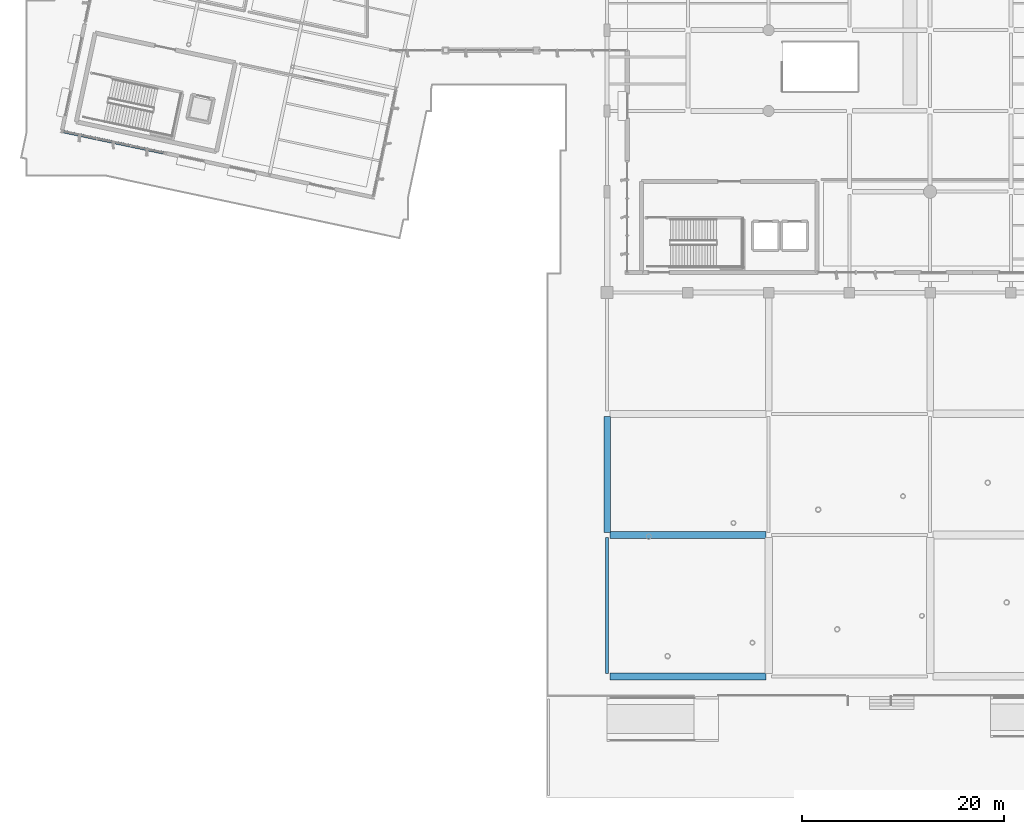
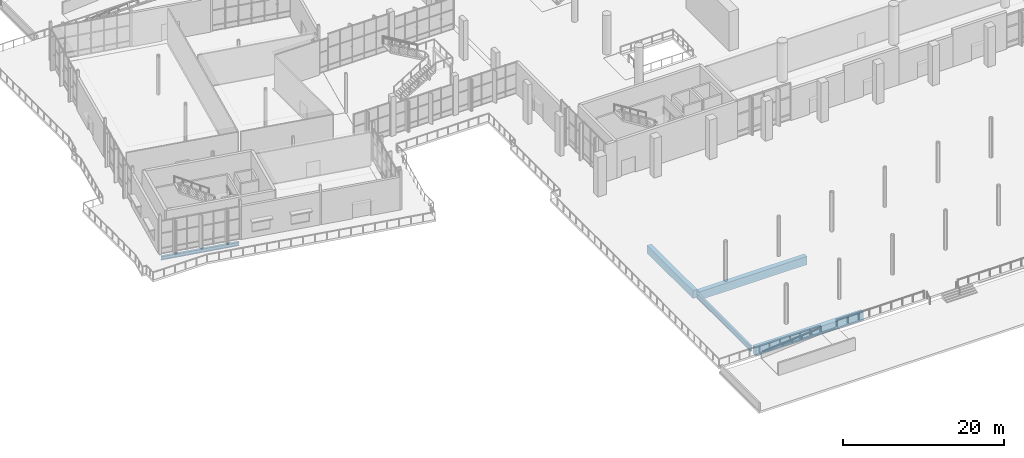
# One storey, part 28 of 163: 5 beams.
"""IFC4 building model written with IfcOpenShell, lengths in metres."""

from ifc_helpers import new_model, si_unit, direction, frame, origin, origin_2d, place, context, subcontext, project, spatial, rectangle, i_section, extrude, material, material_profile, profile_set, type_object, element, save


model = new_model("IFC4")

# Units and contexts
model_context = context("Model", 3, precision=1e-05, world=origin(), true_north=direction((0.0, 1.0)))
body_context = subcontext(model_context, "Body", "Model", "MODEL_VIEW")
ifc_project = project(units=[si_unit("LENGTHUNIT", "METRE"), si_unit("AREAUNIT", "SQUARE_METRE"), si_unit("VOLUMEUNIT", "CUBIC_METRE"), si_unit("PLANEANGLEUNIT", "RADIAN"), si_unit("MASSUNIT", "GRAM", prefix="KILO")], contexts=[model_context])

# Site, building, storey
site_placement = place(None, origin())
site = spatial("IfcSite", under=ifc_project, at=site_placement, CompositionType="ELEMENT")
building_placement = place(site_placement, origin())
building = spatial("IfcBuilding", under=site, at=building_placement, Name="Khorjan Park Terminus", CompositionType="ELEMENT")
storey_placement = place(building_placement, origin())
storey = spatial("IfcBuildingStorey", under=building, at=storey_placement, Name="L00", CompositionType="ELEMENT", Elevation=0.0)

# Beams
ifc_material_1 = material(Name="Steel S355", Category="steel")
ifc_material_profile_1 = material_profile(ifc_material_1, i_section(OverallWidth=0.3, OverallDepth=0.55, WebThickness=0.015, FlangeThickness=0.029, FilletRadius=0.027, at=origin_2d()), Name="HEB 550")
ifc_profile_set_1 = profile_set([ifc_material_profile_1], Name="Steel S355")
beam_type_1 = type_object("IfcBeamType", Name="BM-HEB550", PredefinedType="BEAM", material=ifc_profile_set_1)
beam_1_placement = place(storey_placement, frame((-5.8582, 41.9699, -0.635), z_axis=(0.978146887948, -0.207915044185, 0.0), x_axis=(0.207915044185, 0.978146887948, 0.0)))
element("IfcBeam", 1, at=beam_1_placement, inside=storey, type_object=beam_type_1, Name="Primary skew-grid floor girder SB-B55 (L00)", PredefinedType="BEAM", context=body_context, shape_type="SweptSolid", body=[
    extrude(i_section(OverallWidth=0.3, OverallDepth=0.55, WebThickness=0.015, FlangeThickness=0.029, FilletRadius=0.027, at=origin_2d()), origin(), (0.0, 0.0, 1.0), 10.22),
])
ifc_material_profile_2 = material_profile(ifc_material_1, i_section(OverallWidth=0.3, OverallDepth=0.8, WebThickness=0.0175, FlangeThickness=0.033, FilletRadius=0.03, at=origin_2d()), Name="HEB 800")
ifc_profile_set_2 = profile_set([ifc_material_profile_2], Name="Steel S355")
beam_type_2 = type_object("IfcBeamType", Name="BM-HEB800", PredefinedType="BEAM", material=ifc_profile_set_2)
beam_2_placement = place(storey_placement, frame((48.0, -11.73, -0.72), z_axis=(0.0, 1.0, 0.0), x_axis=(-1.0, 0.0, 0.0)))
element("IfcBeam", 2, at=beam_2_placement, inside=storey, type_object=beam_type_2, Name="Primary floor girder SB-B80 (L00)", PredefinedType="BEAM", context=body_context, shape_type="SweptSolid", body=[
    extrude(i_section(OverallWidth=0.3, OverallDepth=0.8, WebThickness=0.0175, FlangeThickness=0.033, FilletRadius=0.03, at=origin_2d()), origin(), (0.0, 0.0, 1.0), 13.46),
])
ifc_material_2 = material(Name="Concrete C40/50", Category="concrete")
ifc_material_profile_3 = material_profile(ifc_material_2, rectangle(XDim=0.65, YDim=1.2, at=origin_2d()), Name="RC 650x1200")
ifc_profile_set_3 = profile_set([ifc_material_profile_3], Name="Concrete C40/50")
beam_type_3 = type_object("IfcBeamType", Name="BM-RC650x1200", PredefinedType="BEAM", material=ifc_profile_set_3)
beam_3_placement = place(storey_placement, frame((48.0, 2.27, -0.92), z_axis=(0.0, 1.0, 0.0), x_axis=(-1.0, 0.0, 0.0)))
element("IfcBeam", 3, at=beam_3_placement, inside=storey, type_object=beam_type_3, Name="Primary floor girder GB-12 (L00)", PredefinedType="BEAM", context=body_context, shape_type="SweptSolid", body=[
    extrude(rectangle(XDim=0.65, YDim=1.2, at=origin_2d()), origin(), (0.0, 0.0, 1.0), 11.46),
])
ifc_material_profile_4 = material_profile(ifc_material_2, rectangle(XDim=0.7, YDim=1.25, at=origin_2d()), Name="RC 700x1250")
ifc_profile_set_4 = profile_set([ifc_material_profile_4], Name="Concrete C40/50")
beam_type_4 = type_object("IfcBeamType", Name="BM-RC700x1250", PredefinedType="BEAM", material=ifc_profile_set_4)
for number, where, z_axis, x_axis, name in (
    (4, (48.27, -12.0, -0.945), (1.0, 0.0, 0.0), (0.0, 1.0, 0.0), "Primary floor girder GB-125 (L00)"),
    (5, (48.27, 2.0, -0.945), (1.0, 0.0, 0.0), (0.0, 1.0, 0.0), "Primary floor girder GB-125 (L00)"),
):
    element("IfcBeam", number, at=place(storey_placement, frame(where, z_axis=z_axis, x_axis=x_axis)), inside=storey, type_object=beam_type_4, Name=name, PredefinedType="BEAM", context=body_context, shape_type="SweptSolid", body=[
        extrude(rectangle(XDim=0.7, YDim=1.25, at=origin_2d()), origin(), (0.0, 0.0, 1.0), 15.46),
    ])

save(model, "model.ifc")
